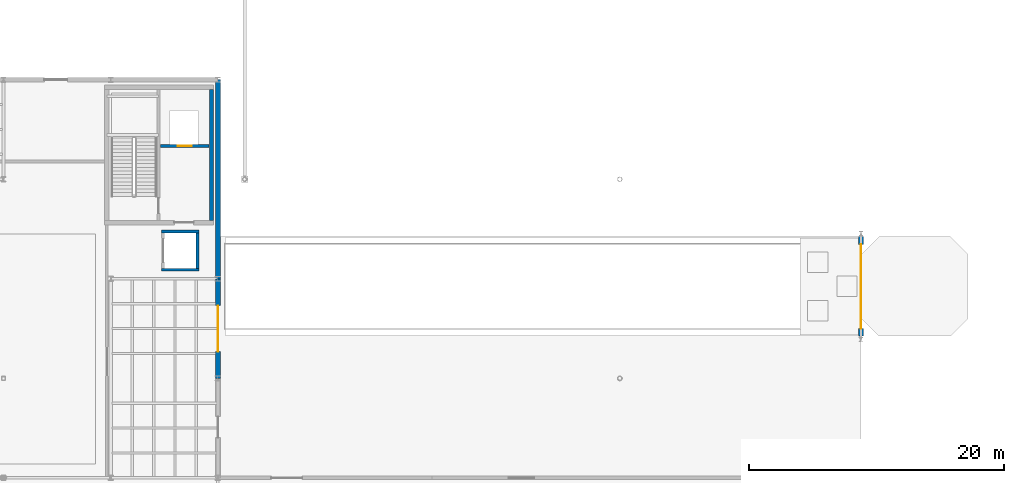
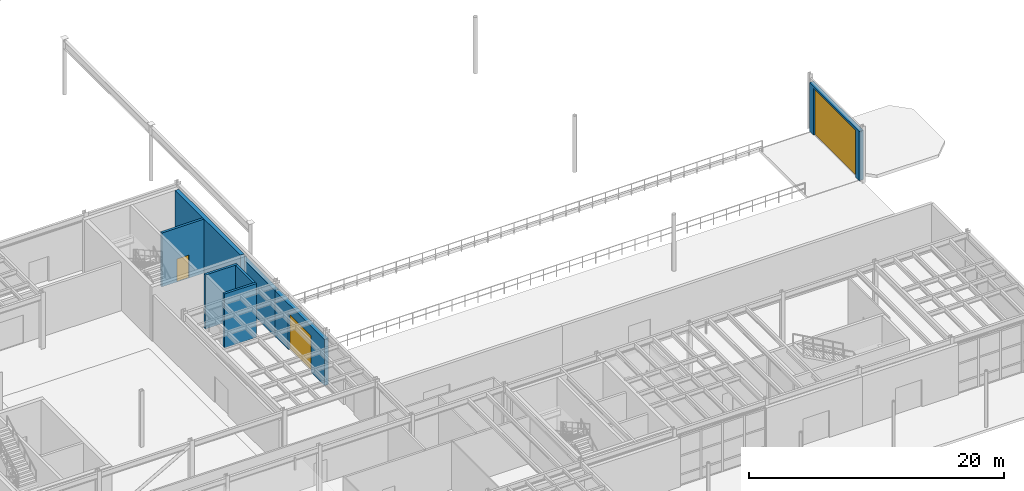
# One storey, part 66 of 87: 8 walls, 3 doors, 3 openings.
"""IFC4 building model written with IfcOpenShell, lengths in metres."""

from ifc_helpers import new_model, si_unit, direction, frame, frame_2d, origin, place, context, subcontext, project, spatial, rectangle, extrude, material, layer, layer_set, type_object, element, fill, save


model = new_model("IFC4")

# Units and contexts
model_context = context("Model", 3, precision=1e-05, world=origin(), true_north=direction((0.0, 1.0)))
body_context = subcontext(model_context, "Body", "Model", "MODEL_VIEW")
ifc_project = project(units=[si_unit("LENGTHUNIT", "METRE"), si_unit("AREAUNIT", "SQUARE_METRE"), si_unit("VOLUMEUNIT", "CUBIC_METRE"), si_unit("PLANEANGLEUNIT", "RADIAN"), si_unit("MASSUNIT", "GRAM", prefix="KILO")], contexts=[model_context])

# Site, building, storey
site_placement = place(None, origin())
site = spatial("IfcSite", under=ifc_project, at=site_placement, CompositionType="ELEMENT")
building_placement = place(site_placement, origin())
building = spatial("IfcBuilding", under=site, at=building_placement, Name="Selat Folded Stagehouse", CompositionType="ELEMENT")
storey_placement = place(building_placement, origin())
storey = spatial("IfcBuildingStorey", under=building, at=storey_placement, Name="L00", CompositionType="ELEMENT", Elevation=0.0)

# Wall, opening, door
ifc_material_1 = material(Name="Concrete C40/50", Category="concrete")
ifc_layer_1 = layer(ifc_material_1, 0.215087890625)
ifc_layer_set_1 = layer_set([ifc_layer_1], Name="Concrete C40/50")
wall_type_1 = type_object("IfcWallType", Name="WAL-COMP-215", PredefinedType="STANDARD", material=ifc_layer_set_1)
wall_1_placement = place(storey_placement, frame((62.7099609375, 49.39990234375, 0.0), z_axis=(0.0, 0.0, 1.0), x_axis=(1.0, 0.0, 0.0)))
wall_1 = element("IfcWall", 1, at=wall_1_placement, inside=storey, type_object=wall_type_1, Name="L00 FL-02 lift shaft front wall", PredefinedType="STANDARD", context=body_context, shape_type="SweptSolid", body=[
    extrude(rectangle(XDim=3.794921875, YDim=0.215087890625, at=frame_2d((1.8974609375, 0.0))), origin(), (0.0, 0.0, 1.0), 5.172119140625),
])
opening_1_placement = place(wall_1_placement, frame((1.347412109375, 0.0, 0.0)))
opening_1 = element("IfcOpeningElement", 2, at=opening_1_placement, cuts=wall_1, Name="Opening LD-01", PredefinedType="OPENING", context=body_context, shape_type="SweptSolid", body=[
    extrude(rectangle(XDim=1.10009765625, YDim=2.199951171875, at=frame_2d((0.550048828125, 1.10009765625))), frame((0.0, 0.117431640625, 0.0), z_axis=(0.0, -1.0, 0.0), x_axis=(1.0, 0.0, 0.0)), (0.0, 0.0, 1.0), 0.235107421875),
])
ifc_material_2 = material(Name="Firefighting lift stainless sliding landing door", Category="wood")
door_type_1 = type_object("IfcDoorType", Name="DOR-LFT-1100", OperationType="NOTDEFINED", PredefinedType="DOOR", material=ifc_material_2)
door_1_placement = place(opening_1_placement, origin())
door_1 = element("IfcDoor", 3, at=door_1_placement, inside=storey, type_object=door_type_1, Name="L00 FL-02 lift sliding landing door", OperationType="SLIDING_TO_RIGHT", OverallHeight=2.199951171875, OverallWidth=1.10009765625, PredefinedType="DOOR", context=body_context, shape_type="SweptSolid", body=[
    extrude(rectangle(XDim=1.10009765625, YDim=2.199951171875, at=frame_2d((0.550048828125, 1.10009765625))), frame((0.0, 0.02490234375, 0.0), z_axis=(0.0, -1.0, 0.0), x_axis=(1.0, 0.0, 0.0)), (0.0, 0.0, 1.0), 0.050048828125),
])
fill(opening_1, door_1)

# Walls
for number, where, z_axis, x_axis, name in (
    (4, (65.70751953125, 39.699951171875, 0.0), (0.0, 0.0, 1.0), (-1.0, 0.0, 0.0), "L00 GL-01 south shaft wall"),
    (5, (62.79248046875, 42.699951171875, 0.0), (0.0, 0.0, 1.0), (1.0, 0.0, 0.0), "L00 GL-01 north shaft wall"),
):
    element("IfcWall", number, at=place(storey_placement, frame(where, z_axis=z_axis, x_axis=x_axis)), inside=storey, type_object=wall_type_1, Name=name, PredefinedType="STANDARD", context=body_context, shape_type="SweptSolid", body=[
        extrude(rectangle(XDim=2.9150390625, YDim=0.215087890625, at=frame_2d((1.45751953125, 0.0))), origin(), (0.0, 0.0, 1.0), 5.172119140625),
    ])
wall_2_placement = place(storey_placement, frame((65.60009765625, 42.592529296875, 0.0), z_axis=(0.0, 0.0, 1.0), x_axis=(0.0, -1.0, 0.0)))
element("IfcWall", 6, at=wall_2_placement, inside=storey, type_object=wall_type_1, Name="L00 GL-01 east shaft wall", PredefinedType="STANDARD", context=body_context, shape_type="SweptSolid", body=[
    extrude(rectangle(XDim=2.784912109375, YDim=0.215087890625, at=frame_2d((1.392578125, 0.0))), origin(), (0.0, 0.0, 1.0), 5.172119140625),
])

# Wall, opening, door
ifc_material_3 = material(Name="Precast concrete C40/50", Category="concrete")
ifc_layer_2 = layer(ifc_material_3, 0.3798828125)
ifc_layer_set_2 = layer_set([ifc_layer_2], Name="Precast concrete C40/50")
wall_type_2 = type_object("IfcWallType", Name="WAL-EXT-380", PredefinedType="STANDARD", material=ifc_layer_set_2)
wall_3_placement = place(storey_placement, frame((117.60009765625, 42.300048828125, 0.0), z_axis=(0.0, 0.0, 1.0), x_axis=(0.0, -1.0, 0.0)))
wall_3 = element("IfcWall", 7, at=wall_3_placement, inside=storey, type_object=wall_type_2, Name="L00 exterior facade wall EW-L00-RAMPGATE", PredefinedType="STANDARD", context=body_context, shape_type="SweptSolid", body=[
    extrude(rectangle(XDim=7.800048828125, YDim=0.3798828125, at=frame_2d((3.89990234375, 0.0))), origin(), (0.0, 0.0, 1.0), 4.7119140625),
])
opening_2_placement = place(wall_3_placement, frame((0.60009765625, 0.0, 0.0)))
opening_2 = element("IfcOpeningElement", 8, at=opening_2_placement, cuts=wall_3, Name="Opening RS-01", PredefinedType="OPENING", context=body_context, shape_type="SweptSolid", body=[
    extrude(rectangle(XDim=6.60009765625, YDim=4.5, at=frame_2d((3.300048828125, 2.25))), frame((0.0, 0.199951171875, 0.0), z_axis=(0.0, -1.0, 0.0), x_axis=(1.0, 0.0, 0.0)), (0.0, 0.0, 1.0), 0.39990234375),
])
ifc_material_4 = material(Name="Galvanised acoustic steel", Category="steel")
door_type_2 = type_object("IfcDoorType", Name="GAT-VEH-6600x4500", OperationType="NOTDEFINED", PredefinedType="GATE", material=ifc_material_4)
door_2_placement = place(opening_2_placement, origin())
door_2 = element("IfcDoor", 9, at=door_2_placement, inside=storey, type_object=door_type_2, Name="L00 exterior door EW-L00-RAMPGATE-1", OperationType="ROLLINGUP", OverallHeight=4.5, OverallWidth=6.60009765625, PredefinedType="GATE", context=body_context, shape_type="SweptSolid", body=[
    extrude(rectangle(XDim=6.60009765625, YDim=4.5, at=frame_2d((3.300048828125, 2.25))), frame((0.0, 0.02490234375, 0.0), z_axis=(0.0, -1.0, 0.0), x_axis=(1.0, 0.0, 0.0)), (0.0, 0.0, 1.0), 0.050048828125),
])
fill(opening_2, door_2)

# Wall
wall_4_placement = place(storey_placement, frame((67.199951171875, 54.60009765625, 0.0), z_axis=(0.0, 0.0, 1.0), x_axis=(0.0, -1.0, 0.0)))
element("IfcWall", 10, at=wall_4_placement, inside=storey, type_object=wall_type_2, Name="L00 exterior facade wall EW-L00-V2E-39", PredefinedType="STANDARD", context=body_context, shape_type="SweptSolid", body=[
    extrude(rectangle(XDim=15.60009765625, YDim=0.3798828125, at=frame_2d((7.800048828125, 0.0))), origin(), (0.0, 0.0, 1.0), 4.402099609375),
])

# Wall, opening, door
wall_5_placement = place(storey_placement, frame((67.199951171875, 39.0, 0.0), z_axis=(0.0, 0.0, 1.0), x_axis=(0.0, -1.0, 0.0)))
wall_5 = element("IfcWall", 11, at=wall_5_placement, inside=storey, type_object=wall_type_2, Name="L00 exterior facade wall EW-L00-V2E-31", PredefinedType="STANDARD", context=body_context, shape_type="SweptSolid", body=[
    extrude(rectangle(XDim=7.800048828125, YDim=0.3798828125, at=frame_2d((3.89990234375, 0.0))), origin(), (0.0, 0.0, 1.0), 4.402099609375),
])
opening_3_placement = place(wall_5_placement, frame((2.10009765625, 0.0, 0.0)))
opening_3 = element("IfcOpeningElement", 12, at=opening_3_placement, cuts=wall_5, Name="Opening RS-03", PredefinedType="OPENING", context=body_context, shape_type="SweptSolid", body=[
    extrude(rectangle(XDim=3.60009765625, YDim=3.5, at=frame_2d((1.800048828125, 1.75))), frame((0.0, 0.199951171875, 0.0), z_axis=(0.0, -1.0, 0.0), x_axis=(1.0, 0.0, 0.0)), (0.0, 0.0, 1.0), 0.39990234375),
])
door_type_3 = type_object("IfcDoorType", Name="GAT-SCN-3600x3500", OperationType="NOTDEFINED", PredefinedType="GATE", material=ifc_material_4)
door_3_placement = place(opening_3_placement, origin())
door_3 = element("IfcDoor", 13, at=door_3_placement, inside=storey, type_object=door_type_3, Name="L00 exterior door EW-L00-V2E-31-1", OperationType="ROLLINGUP", OverallHeight=3.5, OverallWidth=3.60009765625, PredefinedType="GATE", context=body_context, shape_type="SweptSolid", body=[
    extrude(rectangle(XDim=3.60009765625, YDim=3.5, at=frame_2d((1.800048828125, 1.75))), frame((0.0, 0.02490234375, 0.0), z_axis=(0.0, -1.0, 0.0), x_axis=(1.0, 0.0, 0.0)), (0.0, 0.0, 1.0), 0.050048828125),
])
fill(opening_3, door_3)

# Wall
ifc_material_5 = material(Name="Concrete C50/60", Category="concrete")
ifc_layer_3 = layer(ifc_material_5, 0.35009765625)
ifc_layer_set_3 = layer_set([ifc_layer_3], Name="Concrete C50/60")
wall_type_3 = type_object("IfcWallType", Name="WAL-SW-350", PredefinedType="SHEAR", material=ifc_layer_set_3)
wall_6_placement = place(storey_placement, frame((66.699951171875, 53.824951171875, 0.0), z_axis=(0.0, 0.0, 1.0), x_axis=(0.0, -1.0, 0.0)))
element("IfcWall", 14, at=wall_6_placement, inside=storey, type_object=wall_type_3, Name="L00 CR-2 east shear wall", PredefinedType="SHEAR", context=body_context, shape_type="SweptSolid", body=[
    extrude(rectangle(XDim=10.25, YDim=0.35009765625, at=frame_2d((5.125, 0.0))), origin(), (0.0, 0.0, 1.0), 5.179931640625),
])

save(model, "model.ifc")
